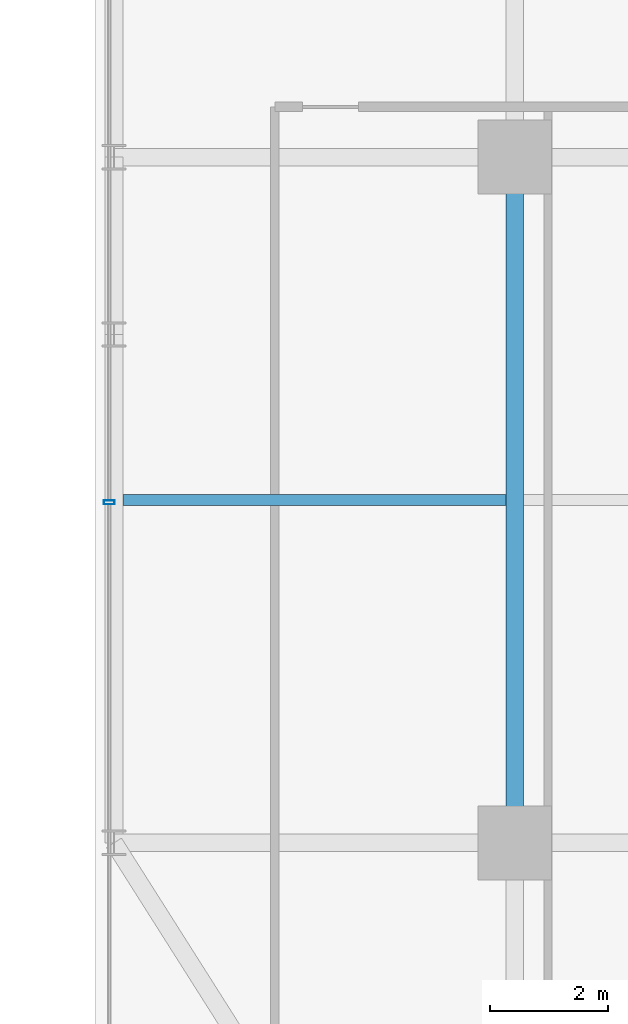
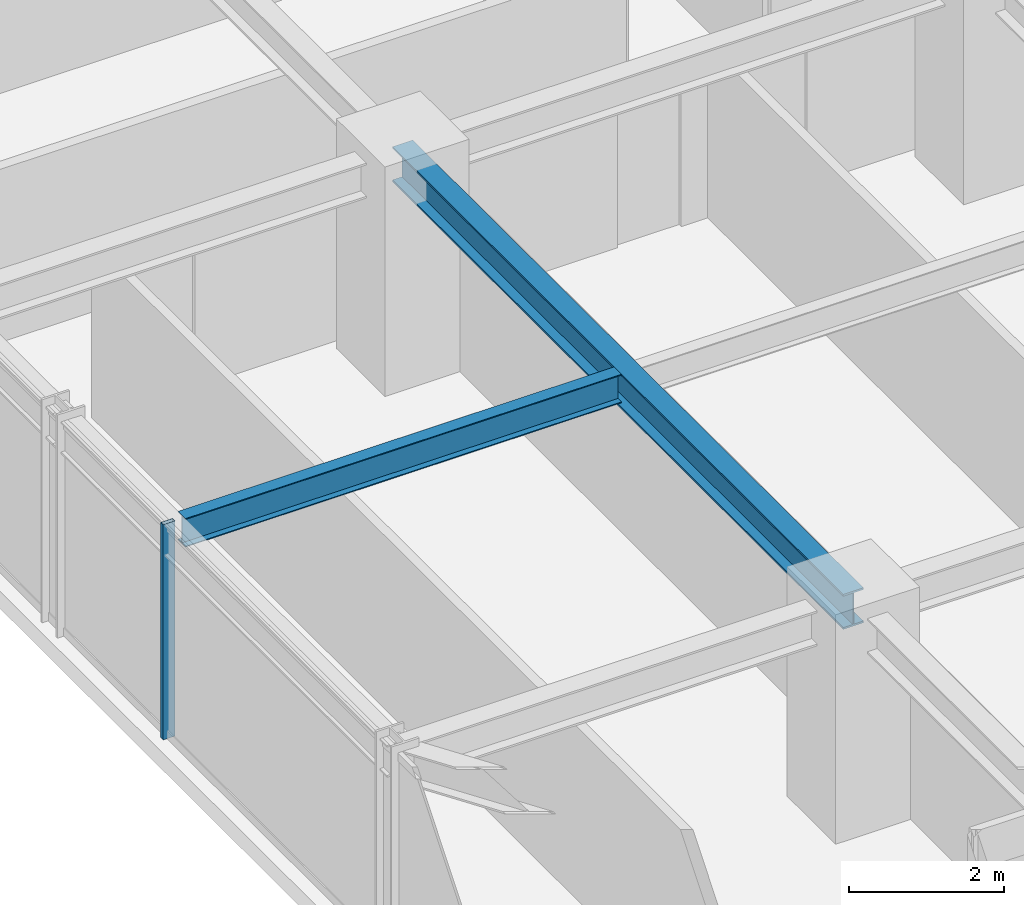
# One storey, part 4 of 39: 2 beams, 1 member, 1 element without a shape of its own.
"""IFC4 building model written with IfcOpenShell, lengths in metres."""

from ifc_helpers import new_model, si_unit, direction, frame, origin, origin_2d, place, context, subcontext, project, spatial, hollow_rectangle, i_section, extrude, source, transform, mapped, material, material_profile, profile_set, type_object, element, aggregate, save


model = new_model("IFC4")

# Units and contexts
model_context = context("Model", 3, precision=1e-05, world=origin(), true_north=direction((0.0, 1.0)))
body_context = subcontext(model_context, "Body", "Model", "MODEL_VIEW")
ifc_project = project(units=[si_unit("LENGTHUNIT", "METRE"), si_unit("AREAUNIT", "SQUARE_METRE"), si_unit("VOLUMEUNIT", "CUBIC_METRE"), si_unit("PLANEANGLEUNIT", "RADIAN"), si_unit("MASSUNIT", "GRAM", prefix="KILO")], contexts=[model_context])

# Site, building, storey
site_placement = place(None, origin())
site = spatial("IfcSite", under=ifc_project, at=site_placement, CompositionType="ELEMENT")
building_placement = place(site_placement, origin())
building = spatial("IfcBuilding", under=site, at=building_placement, Name="Nahalor Promenade Grand Hotel", CompositionType="ELEMENT")
storey_placement = place(building_placement, frame((0.0, 0.0, 135.75)))
storey = spatial("IfcBuildingStorey", under=building, at=storey_placement, Name="L34", CompositionType="ELEMENT", Elevation=135.75)

# Beams
ifc_material_1 = material(Name="Steel S355JR", Category="steel")
ifc_material_profile_1 = material_profile(ifc_material_1, i_section(OverallWidth=0.3, OverallDepth=0.55, WebThickness=0.015, FlangeThickness=0.029, at=origin_2d()), Name="HEB 550")
ifc_profile_set_1 = profile_set([ifc_material_profile_1], Name="Steel S355JR")
beam_type_1 = type_object("IfcBeamType", Name="Beam-Girder-HEB550", PredefinedType="BEAM", material=ifc_profile_set_1)
shared_shape_1 = source(origin(), body_context, "Body", "SweptSolid", [
    extrude(i_section(OverallWidth=0.3, OverallDepth=0.55, WebThickness=0.015, FlangeThickness=0.029, at=origin_2d()), origin(), (0.0, 0.0, 1.0), 11.60009765625),
])
beam_1_placement = place(storey_placement, frame((-17.0, -17.0, 3.10498046875), z_axis=(0.0, 1.0, 0.0), x_axis=(-1.0, 0.0, 0.0)))
element("IfcBeam", 1, at=beam_1_placement, inside=storey, type_object=beam_type_1, Name="BM-L34-GY-0-1", PredefinedType="BEAM", context=body_context, shape_type="MappedRepresentation", body=[
    mapped(shared_shape_1, transform((0.0, 0.0, 0.0), scale=1.0)),
])
ifc_material_profile_2 = material_profile(ifc_material_1, i_section(OverallWidth=0.19, OverallDepth=0.45, WebThickness=0.0094, FlangeThickness=0.0146, at=origin_2d()), Name="IPE 450")
ifc_profile_set_2 = profile_set([ifc_material_profile_2], Name="Steel S355JR")
beam_type_2 = type_object("IfcBeamType", Name="Beam-Joist-IPE450", PredefinedType="JOIST", material=ifc_profile_set_2)
shared_shape_2 = source(origin(), body_context, "Body", "SweptSolid", [
    extrude(i_section(OverallWidth=0.19, OverallDepth=0.45, WebThickness=0.0094, FlangeThickness=0.0146, at=origin_2d()), origin(), (0.0, 0.0, 1.0), 6.47998046875),
])
beam_2_placement = place(storey_placement, frame((-23.6298828125, -11.199951171875, 3.155029296875), z_axis=(1.0, 0.0, 0.0), x_axis=(0.0, 1.0, 0.0)))
element("IfcBeam", 2, at=beam_2_placement, inside=storey, type_object=beam_type_2, Name="BM-L34-JSW-0-0", PredefinedType="JOIST", context=body_context, shape_type="MappedRepresentation", body=[
    mapped(shared_shape_2, transform((0.0, 0.0, 0.0), scale=1.0)),
])

# Curtain wall, member
ifc_material_2 = material(Name="Anodised Bronze Aluminium EN AW-6063 T6", Category="aluminium")
curtain_wall_type = type_object("IfcCurtainWallType", Name="CW2 Typical Hotel Flush Bronze Unitised Curtain Wall", PredefinedType="USERDEFINED", material=ifc_material_2)
curtain_wall_placement = place(storey_placement, origin())
curtain_wall = element("IfcCurtainWall", 3, at=curtain_wall_placement, inside=storey, type_object=curtain_wall_type, Name="L34 Curtain Wall CW-L34-W-1", ObjectType="UNITISED_CURTAIN_WALL", PredefinedType="USERDEFINED")
ifc_material_profile_3 = material_profile(ifc_material_2, hollow_rectangle(XDim=0.065, YDim=0.18, WallThickness=0.004, at=origin_2d()), Name="CWM 65x180x4")
ifc_profile_set_3 = profile_set([ifc_material_profile_3], Name="Anodised Bronze Aluminium EN AW-6063 T6")
member_type = type_object("IfcMemberType", Name="CWM2 Typical Bronze Mullion 65x180", PredefinedType="MULLION", material=ifc_profile_set_3)
shared_shape_3 = source(origin(), body_context, "Body", "SweptSolid", [
    extrude(hollow_rectangle(XDim=0.065, YDim=0.18, WallThickness=0.004, at=origin_2d()), origin(), (0.0, 0.0, 1.0), 3.3798828125),
])
member_placement = place(storey_placement, frame((-23.860107421875, -11.239990234375, 0.0), z_axis=(0.0, 0.0, 1.0), x_axis=(0.0, 1.0, 0.0)))
member = element("IfcMember", 4, at=member_placement, type_object=member_type, Name="CW-L34-W-1 Mullion 1", PredefinedType="MULLION", context=body_context, shape_type="MappedRepresentation", body=[
    mapped(shared_shape_3, transform((0.0, 0.0, 0.0), scale=1.0)),
])
aggregate(curtain_wall, [member])

save(model, "model.ifc")
